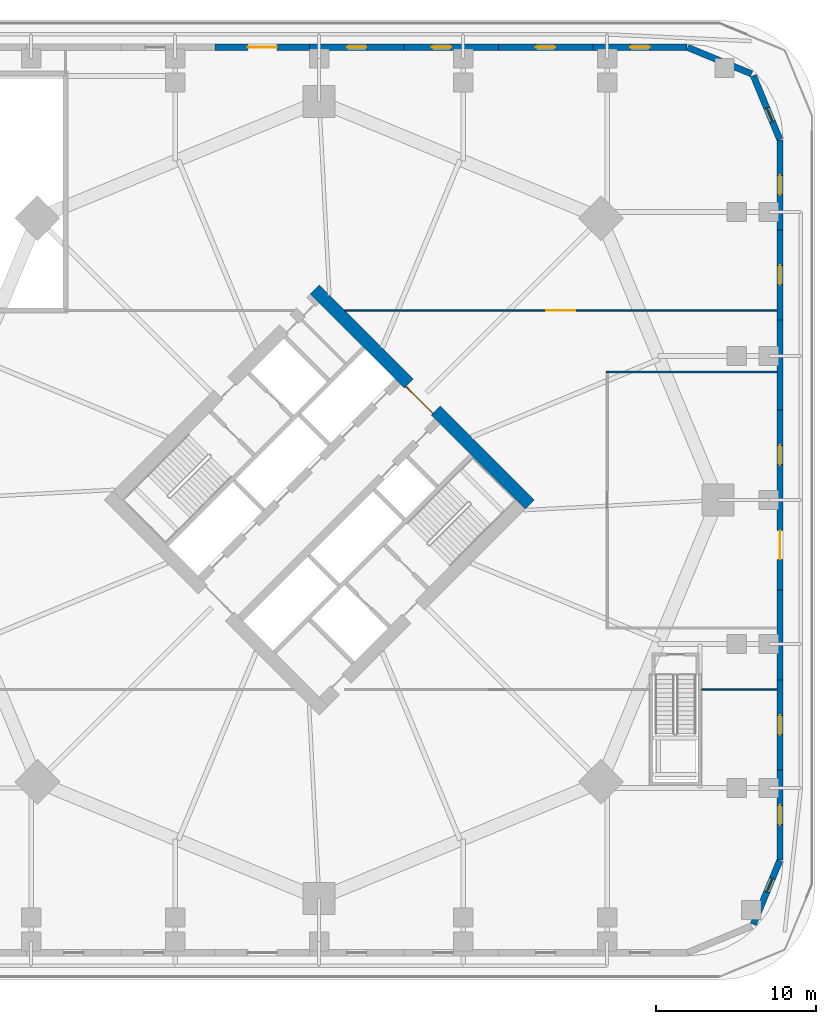
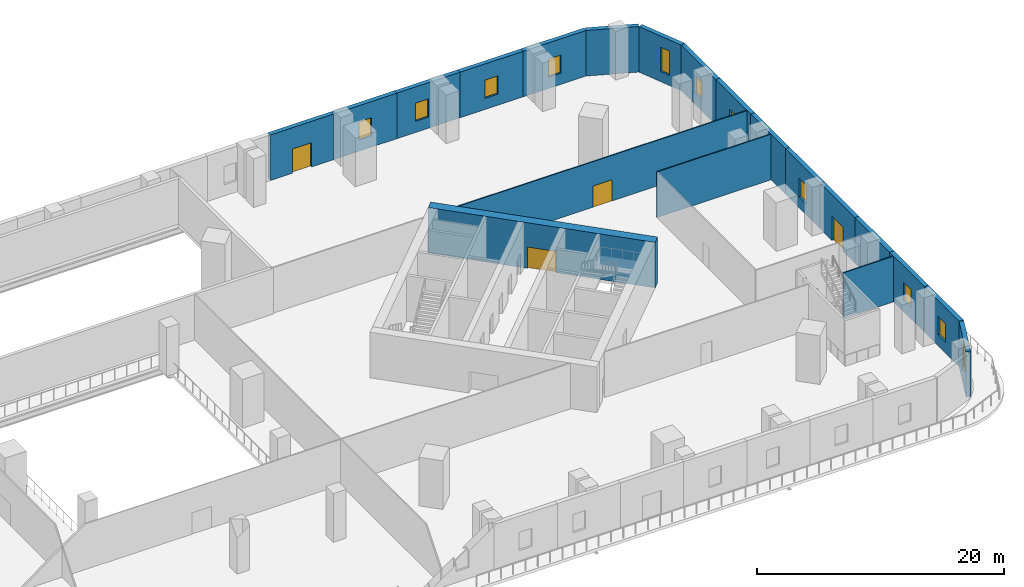
# One storey, part 11 of 17: 20 walls, 11 windows, 4 doors, 15 openings.
"""IFC4 building model written with IfcOpenShell, lengths in metres."""

from ifc_helpers import new_model, si_unit, direction, frame, frame_2d, origin, place, context, subcontext, project, spatial, rectangle, extrude, material, layer, layer_set, type_object, element, fill, save


model = new_model("IFC4")

# Units and contexts
model_context = context("Model", 3, precision=1e-05, world=origin(), true_north=direction((0.0, 1.0)))
body_context = subcontext(model_context, "Body", "Model", "MODEL_VIEW")
ifc_project = project(units=[si_unit("LENGTHUNIT", "METRE"), si_unit("AREAUNIT", "SQUARE_METRE"), si_unit("VOLUMEUNIT", "CUBIC_METRE"), si_unit("PLANEANGLEUNIT", "RADIAN"), si_unit("MASSUNIT", "GRAM", prefix="KILO")], contexts=[model_context])

# Site, building, storey
site_placement = place(None, origin())
site = spatial("IfcSite", under=ifc_project, at=site_placement, CompositionType="ELEMENT")
building_placement = place(site_placement, origin())
building = spatial("IfcBuilding", under=site, at=building_placement, Name="Ogive Gate Towers", CompositionType="ELEMENT")
storey_placement = place(building_placement, frame((0.0, 0.0, 18.0)))
storey = spatial("IfcBuildingStorey", under=building, at=storey_placement, Name="L03", CompositionType="ELEMENT", Elevation=18.0)

# Wall, opening, door
ifc_material_1 = material(Name="Concrete C60/75", Category="concrete")
ifc_layer_1 = layer(ifc_material_1, 0.800048828125)
ifc_layer_set_1 = layer_set([ifc_layer_1], Name="Core wall 800 mm")
wall_type_1 = type_object("IfcWallType", Name="Core wall 800 mm", PredefinedType="SHEAR", material=ifc_layer_set_1)
wall_1_placement = place(storey_placement, frame((49.152099609375, -0.28271484375, 0.0), z_axis=(0.0, 0.0, 1.0), x_axis=(-0.707106781187, 0.707106781187, 0.0)))
wall_1 = element("IfcWall", 1, at=wall_1_placement, inside=storey, type_object=wall_type_1, Name="T2 L03 Core wall 800 mm", PredefinedType="SHEAR", context=body_context, shape_type="SweptSolid", body=[
    extrude(rectangle(XDim=18.999755859375, YDim=0.800048828125, at=frame_2d((9.5, 0.0))), origin(), (0.0, 0.0, 1.0), 4.5),
])
opening_1_placement = place(wall_1_placement, frame((8.300048828125, 0.0, 0.0)))
opening_1 = element("IfcOpeningElement", 2, at=opening_1_placement, cuts=wall_1, Name="Opening KD-T2-L03-02", PredefinedType="OPENING", context=body_context, shape_type="SweptSolid", body=[
    extrude(rectangle(XDim=2.39990234375, YDim=2.10009765625, at=frame_2d((1.199951171875, 1.050048828125))), frame((0.0, 0.41015625, 0.0), z_axis=(0.0, -1.0, 0.0), x_axis=(1.0, 0.0, 0.0)), (0.0, 0.0, 1.0), 0.820068359375),
])
ifc_material_2 = material(Name="Steel fire door", Category="steel")
door_type_1 = type_object("IfcDoorType", Name="Core double door FD60S 2400 x 2100", OperationType="DOUBLE_DOOR_SINGLE_SWING", PredefinedType="DOOR", material=ifc_material_2)
door_1_placement = place(opening_1_placement, origin())
door_1 = element("IfcDoor", 3, at=door_1_placement, inside=storey, type_object=door_type_1, Name="T2 L03 Core door double", OperationType="DOUBLE_DOOR_SINGLE_SWING", OverallHeight=2.10009765625, OverallWidth=2.39990234375, PredefinedType="DOOR", context=body_context, shape_type="SweptSolid", body=[
    extrude(rectangle(XDim=2.39990234375, YDim=2.10009765625, at=frame_2d((1.199951171875, 1.050048828125))), frame((0.0, 0.27490234375, 0.0), z_axis=(0.0, -1.0, 0.0), x_axis=(1.0, 0.0, 0.0)), (0.0, 0.0, 1.0), 0.050048828125),
])
fill(opening_1, door_1)

ifc_material_3 = material(Name="Gypsum board partition")
ifc_layer_2 = layer(ifc_material_3, 0.10009765625)
ifc_layer_set_2 = layer_set([ifc_layer_2], Name="Partition wall 100")
wall_type_2 = type_object("IfcWallType", Name="Partition wall 100", PredefinedType="PARTITIONING", material=ifc_layer_set_2)
wall_2_placement = place(storey_placement, frame((37.5849609375, 11.85009765625, 0.0), z_axis=(0.0, 0.0, 1.0), x_axis=(1.0, 0.0, 0.0)))
wall_2 = element("IfcWall", 4, at=wall_2_placement, inside=storey, type_object=wall_type_2, Name="L03 partition 023", PredefinedType="PARTITIONING", context=body_context, shape_type="SweptSolid", body=[
    extrude(rectangle(XDim=27.01513671875, YDim=0.10009765625, at=frame_2d((13.507568359375, 0.0))), origin(), (0.0, 0.0, 1.0), 4.5),
])
opening_2_placement = place(wall_2_placement, frame((12.607421875, 0.0, 0.0)))
opening_2 = element("IfcOpeningElement", 5, at=opening_2_placement, cuts=wall_2, Name="Opening PO195", PredefinedType="OPENING", context=body_context, shape_type="SweptSolid", body=[
    extrude(rectangle(XDim=1.800048828125, YDim=2.10009765625, at=frame_2d((0.89990234375, 1.050048828125))), frame((0.0, 0.06005859375, 0.0), z_axis=(0.0, -1.0, 0.0), x_axis=(1.0, 0.0, 0.0)), (0.0, 0.0, 1.0), 0.1201171875),
])
ifc_material_4 = material(Name="Timber door", Category="wood")
door_type_2 = type_object("IfcDoorType", Name="Double door 1800 x 2100", OperationType="NOTDEFINED", PredefinedType="DOOR", material=ifc_material_4)
door_2_placement = place(opening_2_placement, origin())
door_2 = element("IfcDoor", 6, at=door_2_placement, inside=storey, type_object=door_type_2, Name="Door PO195", OperationType="DOUBLE_DOOR_DOUBLE_SWING", OverallHeight=2.10009765625, OverallWidth=1.800048828125, PredefinedType="DOOR", context=body_context, shape_type="SweptSolid", body=[
    extrude(rectangle(XDim=1.800048828125, YDim=2.10009765625, at=frame_2d((0.89990234375, 1.050048828125))), frame((0.0, 0.02490234375, 0.0), z_axis=(0.0, -1.0, 0.0), x_axis=(1.0, 0.0, 0.0)), (0.0, 0.0, 1.0), 0.050048828125),
])
fill(opening_2, door_2)

# Walls
wall_3_placement = place(storey_placement, frame((59.89990234375, -11.85009765625, 0.0), z_axis=(0.0, 0.0, 1.0), x_axis=(1.0, 0.0, 0.0)))
element("IfcWall", 7, at=wall_3_placement, inside=storey, type_object=wall_type_2, Name="L03 partition 032", PredefinedType="PARTITIONING", context=body_context, shape_type="SweptSolid", body=[
    extrude(rectangle(XDim=4.7001953125, YDim=0.10009765625, at=frame_2d((2.35009765625, 0.0))), origin(), (0.0, 0.0, 1.0), 4.5),
])
wall_4_placement = place(storey_placement, frame((53.949951171875, 8.0, 0.0), z_axis=(0.0, 0.0, 1.0), x_axis=(1.0, 0.0, 0.0)))
element("IfcWall", 8, at=wall_4_placement, inside=storey, type_object=wall_type_2, Name="L03 partition 037", PredefinedType="PARTITIONING", context=body_context, shape_type="SweptSolid", body=[
    extrude(rectangle(XDim=10.650146484375, YDim=0.10009765625, at=frame_2d((5.3251953125, 0.0))), origin(), (0.0, 0.0, 1.0), 4.5),
])

# Wall, opening, window
ifc_material_5 = material(Name="Precast concrete C40/50", Category="concrete")
ifc_layer_3 = layer(ifc_material_5, 0.39990234375)
ifc_layer_set_3 = layer_set([ifc_layer_3], Name="Podium wall 400")
wall_type_3 = type_object("IfcWallType", Name="Podium wall 400", PredefinedType="SOLIDWALL", material=ifc_layer_set_3)
wall_5_placement = place(storey_placement, frame((63.1328125, -26.524658203125, 0.0), z_axis=(0.0, 0.0, 1.0), x_axis=(0.382743086333, 0.923854820772, 0.0)))
wall_5 = element("IfcWall", 9, at=wall_5_placement, inside=storey, type_object=wall_type_3, Name="Podium wall", PredefinedType="SOLIDWALL", context=body_context, shape_type="SweptSolid", body=[
    extrude(rectangle(XDim=4.31640625, YDim=0.39990234375, at=frame_2d((2.158203125, 0.0))), origin(), (0.0, 0.0, 1.0), 4.5),
])
opening_3_placement = place(wall_5_placement, frame((2.208251953125, 0.0, 1.0)))
opening_3 = element("IfcOpeningElement", 10, at=opening_3_placement, cuts=wall_5, Name="Opening WN5", PredefinedType="OPENING", context=body_context, shape_type="SweptSolid", body=[
    extrude(rectangle(XDim=0.89990234375, YDim=2.39990234375, at=frame_2d((0.449951171875, 1.199951171875))), frame((0.0, 0.2099609375, 0.0), z_axis=(0.0, -1.0, 0.0), x_axis=(1.0, 0.0, 0.0)), (0.0, 0.0, 1.0), 0.419921875),
])
ifc_material_6 = material(Name="Clear glass", Category="glass")
window_type_1 = type_object("IfcWindowType", Name="Narrow window 900 x 2400", PartitioningType="SINGLE_PANEL", PredefinedType="WINDOW", material=ifc_material_6)
window_1_placement = place(opening_3_placement, origin())
window_1 = element("IfcWindow", 11, at=window_1_placement, inside=storey, type_object=window_type_1, Name="Podium window", OverallHeight=2.39990234375, OverallWidth=0.89990234375, PartitioningType="SINGLE_PANEL", PredefinedType="WINDOW", context=body_context, shape_type="SweptSolid", body=[
    extrude(rectangle(XDim=0.89990234375, YDim=2.39990234375, at=frame_2d((0.449951171875, 1.199951171875))), frame((0.0, 0.030029296875, 0.0), z_axis=(0.0, -1.0, 0.0), x_axis=(1.0, 0.0, 0.0)), (0.0, 0.0, 1.0), 0.06005859375),
])
fill(opening_3, window_1)

wall_6_placement = place(storey_placement, frame((64.800048828125, -22.5, 0.0), z_axis=(0.0, 0.0, 1.0), x_axis=(0.0, 1.0, 0.0)))
wall_6 = element("IfcWall", 12, at=wall_6_placement, inside=storey, type_object=wall_type_3, Name="Podium wall", PredefinedType="SOLIDWALL", context=body_context, shape_type="SweptSolid", body=[
    extrude(rectangle(XDim=5.625, YDim=0.39990234375, at=frame_2d((2.8125, 0.0))), origin(), (0.0, 0.0, 1.0), 4.5),
])
opening_4_placement = place(wall_6_placement, frame((2.21240234375, 0.0, 1.10009765625)))
opening_4 = element("IfcOpeningElement", 13, at=opening_4_placement, cuts=wall_6, Name="Opening WN3", PredefinedType="OPENING", context=body_context, shape_type="SweptSolid", body=[
    extrude(rectangle(XDim=1.199951171875, YDim=1.800048828125, at=frame_2d((0.60009765625, 0.89990234375))), frame((0.0, 0.2099609375, 0.0), z_axis=(0.0, -1.0, 0.0), x_axis=(1.0, 0.0, 0.0)), (0.0, 0.0, 1.0), 0.419921875),
])
window_type_2 = type_object("IfcWindowType", Name="Podium window 1200 x 1800", PartitioningType="SINGLE_PANEL", PredefinedType="WINDOW", material=ifc_material_6)
window_2_placement = place(opening_4_placement, origin())
window_2 = element("IfcWindow", 14, at=window_2_placement, inside=storey, type_object=window_type_2, Name="Podium window", OverallHeight=1.800048828125, OverallWidth=1.199951171875, PartitioningType="SINGLE_PANEL", PredefinedType="WINDOW", context=body_context, shape_type="SweptSolid", body=[
    extrude(rectangle(XDim=1.199951171875, YDim=1.800048828125, at=frame_2d((0.60009765625, 0.89990234375))), frame((0.0, 0.030029296875, 0.0), z_axis=(0.0, -1.0, 0.0), x_axis=(1.0, 0.0, 0.0)), (0.0, 0.0, 1.0), 0.06005859375),
])
fill(opening_4, window_2)

wall_7_placement = place(storey_placement, frame((64.800048828125, -16.875, 0.0), z_axis=(0.0, 0.0, 1.0), x_axis=(0.0, 1.0, 0.0)))
wall_7 = element("IfcWall", 15, at=wall_7_placement, inside=storey, type_object=wall_type_3, Name="Podium wall", PredefinedType="SOLIDWALL", context=body_context, shape_type="SweptSolid", body=[
    extrude(rectangle(XDim=5.625, YDim=0.39990234375, at=frame_2d((2.8125, 0.0))), origin(), (0.0, 0.0, 1.0), 4.5),
])
opening_5_placement = place(wall_7_placement, frame((2.21240234375, 0.0, 1.10009765625)))
opening_5 = element("IfcOpeningElement", 16, at=opening_5_placement, cuts=wall_7, Name="Opening WN3", PredefinedType="OPENING", context=body_context, shape_type="SweptSolid", body=[
    extrude(rectangle(XDim=1.199951171875, YDim=1.800048828125, at=frame_2d((0.60009765625, 0.89990234375))), frame((0.0, 0.2099609375, 0.0), z_axis=(0.0, -1.0, 0.0), x_axis=(1.0, 0.0, 0.0)), (0.0, 0.0, 1.0), 0.419921875),
])
window_3_placement = place(opening_5_placement, origin())
window_3 = element("IfcWindow", 17, at=window_3_placement, inside=storey, type_object=window_type_2, Name="Podium window", OverallHeight=1.800048828125, OverallWidth=1.199951171875, PartitioningType="SINGLE_PANEL", PredefinedType="WINDOW", context=body_context, shape_type="SweptSolid", body=[
    extrude(rectangle(XDim=1.199951171875, YDim=1.800048828125, at=frame_2d((0.60009765625, 0.89990234375))), frame((0.0, 0.030029296875, 0.0), z_axis=(0.0, -1.0, 0.0), x_axis=(1.0, 0.0, 0.0)), (0.0, 0.0, 1.0), 0.06005859375),
])
fill(opening_5, window_3)

# Wall
wall_8_placement = place(storey_placement, frame((64.800048828125, -11.25, 0.0), z_axis=(0.0, 0.0, 1.0), x_axis=(0.0, 1.0, 0.0)))
element("IfcWall", 18, at=wall_8_placement, inside=storey, type_object=wall_type_3, Name="Podium wall", PredefinedType="SOLIDWALL", context=body_context, shape_type="SweptSolid", body=[
    extrude(rectangle(XDim=5.625, YDim=0.39990234375, at=frame_2d((2.8125, 0.0))), origin(), (0.0, 0.0, 1.0), 4.5),
])

# Wall, opening, door
wall_9_placement = place(storey_placement, frame((64.800048828125, -5.625, 0.0), z_axis=(0.0, 0.0, 1.0), x_axis=(0.0, 1.0, 0.0)))
wall_9 = element("IfcWall", 19, at=wall_9_placement, inside=storey, type_object=wall_type_3, Name="Podium wall", PredefinedType="SOLIDWALL", context=body_context, shape_type="SweptSolid", body=[
    extrude(rectangle(XDim=5.625, YDim=0.39990234375, at=frame_2d((2.8125, 0.0))), origin(), (0.0, 0.0, 1.0), 4.5),
])
opening_6_placement = place(wall_9_placement, frame((1.91259765625, 0.0, 0.0)))
opening_6 = element("IfcOpeningElement", 20, at=opening_6_placement, cuts=wall_9, Name="Opening ED3-L03-01", PredefinedType="OPENING", context=body_context, shape_type="SweptSolid", body=[
    extrude(rectangle(XDim=1.800048828125, YDim=2.39990234375, at=frame_2d((0.89990234375, 1.199951171875))), frame((0.0, 0.2099609375, 0.0), z_axis=(0.0, -1.0, 0.0), x_axis=(1.0, 0.0, 0.0)), (0.0, 0.0, 1.0), 0.419921875),
])
ifc_material_7 = material(Name="Pale metal aluminium", Category="aluminium")
door_type_3 = type_object("IfcDoorType", Name="Terrace door 1800 x 2400", OperationType="DOUBLE_DOOR_SINGLE_SWING", PredefinedType="DOOR", material=ifc_material_7)
door_3_placement = place(opening_6_placement, origin())
door_3 = element("IfcDoor", 21, at=door_3_placement, inside=storey, type_object=door_type_3, Name="Exterior door", OperationType="SINGLE_SWING_LEFT", OverallHeight=2.39990234375, OverallWidth=1.800048828125, PredefinedType="DOOR", context=body_context, shape_type="SweptSolid", body=[
    extrude(rectangle(XDim=1.800048828125, YDim=2.39990234375, at=frame_2d((0.89990234375, 1.199951171875))), frame((0.0, 0.02490234375, 0.0), z_axis=(0.0, -1.0, 0.0), x_axis=(1.0, 0.0, 0.0)), (0.0, 0.0, 1.0), 0.050048828125),
])
fill(opening_6, door_3)

# Wall, opening, window
wall_10_placement = place(storey_placement, frame((64.800048828125, 0.0, 0.0), z_axis=(0.0, 0.0, 1.0), x_axis=(0.0, 1.0, 0.0)))
wall_10 = element("IfcWall", 22, at=wall_10_placement, inside=storey, type_object=wall_type_3, Name="Podium wall", PredefinedType="SOLIDWALL", context=body_context, shape_type="SweptSolid", body=[
    extrude(rectangle(XDim=5.625, YDim=0.39990234375, at=frame_2d((2.8125, 0.0))), origin(), (0.0, 0.0, 1.0), 4.5),
])
opening_7_placement = place(wall_10_placement, frame((2.21240234375, 0.0, 1.10009765625)))
opening_7 = element("IfcOpeningElement", 23, at=opening_7_placement, cuts=wall_10, Name="Opening WN3", PredefinedType="OPENING", context=body_context, shape_type="SweptSolid", body=[
    extrude(rectangle(XDim=1.199951171875, YDim=1.800048828125, at=frame_2d((0.60009765625, 0.89990234375))), frame((0.0, 0.2099609375, 0.0), z_axis=(0.0, -1.0, 0.0), x_axis=(1.0, 0.0, 0.0)), (0.0, 0.0, 1.0), 0.419921875),
])
window_4_placement = place(opening_7_placement, origin())
window_4 = element("IfcWindow", 24, at=window_4_placement, inside=storey, type_object=window_type_2, Name="Podium window", OverallHeight=1.800048828125, OverallWidth=1.199951171875, PartitioningType="SINGLE_PANEL", PredefinedType="WINDOW", context=body_context, shape_type="SweptSolid", body=[
    extrude(rectangle(XDim=1.199951171875, YDim=1.800048828125, at=frame_2d((0.60009765625, 0.89990234375))), frame((0.0, 0.030029296875, 0.0), z_axis=(0.0, -1.0, 0.0), x_axis=(1.0, 0.0, 0.0)), (0.0, 0.0, 1.0), 0.06005859375),
])
fill(opening_7, window_4)

# Wall
wall_11_placement = place(storey_placement, frame((64.800048828125, 5.625, 0.0), z_axis=(0.0, 0.0, 1.0), x_axis=(0.0, 1.0, 0.0)))
element("IfcWall", 25, at=wall_11_placement, inside=storey, type_object=wall_type_3, Name="Podium wall", PredefinedType="SOLIDWALL", context=body_context, shape_type="SweptSolid", body=[
    extrude(rectangle(XDim=5.625, YDim=0.39990234375, at=frame_2d((2.8125, 0.0))), origin(), (0.0, 0.0, 1.0), 4.5),
])

# Wall, opening, window
wall_12_placement = place(storey_placement, frame((64.800048828125, 11.25, 0.0), z_axis=(0.0, 0.0, 1.0), x_axis=(0.0, 1.0, 0.0)))
wall_12 = element("IfcWall", 26, at=wall_12_placement, inside=storey, type_object=wall_type_3, Name="Podium wall", PredefinedType="SOLIDWALL", context=body_context, shape_type="SweptSolid", body=[
    extrude(rectangle(XDim=5.625, YDim=0.39990234375, at=frame_2d((2.8125, 0.0))), origin(), (0.0, 0.0, 1.0), 4.5),
])
opening_8_placement = place(wall_12_placement, frame((2.21240234375, 0.0, 1.10009765625)))
opening_8 = element("IfcOpeningElement", 27, at=opening_8_placement, cuts=wall_12, Name="Opening WN3", PredefinedType="OPENING", context=body_context, shape_type="SweptSolid", body=[
    extrude(rectangle(XDim=1.199951171875, YDim=1.800048828125, at=frame_2d((0.60009765625, 0.89990234375))), frame((0.0, 0.2099609375, 0.0), z_axis=(0.0, -1.0, 0.0), x_axis=(1.0, 0.0, 0.0)), (0.0, 0.0, 1.0), 0.419921875),
])
window_5_placement = place(opening_8_placement, origin())
window_5 = element("IfcWindow", 28, at=window_5_placement, inside=storey, type_object=window_type_2, Name="Podium window", OverallHeight=1.800048828125, OverallWidth=1.199951171875, PartitioningType="SINGLE_PANEL", PredefinedType="WINDOW", context=body_context, shape_type="SweptSolid", body=[
    extrude(rectangle(XDim=1.199951171875, YDim=1.800048828125, at=frame_2d((0.60009765625, 0.89990234375))), frame((0.0, 0.030029296875, 0.0), z_axis=(0.0, -1.0, 0.0), x_axis=(1.0, 0.0, 0.0)), (0.0, 0.0, 1.0), 0.06005859375),
])
fill(opening_8, window_5)

wall_13_placement = place(storey_placement, frame((64.800048828125, 16.875, 0.0), z_axis=(0.0, 0.0, 1.0), x_axis=(0.0, 1.0, 0.0)))
wall_13 = element("IfcWall", 29, at=wall_13_placement, inside=storey, type_object=wall_type_3, Name="Podium wall", PredefinedType="SOLIDWALL", context=body_context, shape_type="SweptSolid", body=[
    extrude(rectangle(XDim=5.625, YDim=0.39990234375, at=frame_2d((2.8125, 0.0))), origin(), (0.0, 0.0, 1.0), 4.5),
])
opening_9_placement = place(wall_13_placement, frame((2.21240234375, 0.0, 1.10009765625)))
opening_9 = element("IfcOpeningElement", 30, at=opening_9_placement, cuts=wall_13, Name="Opening WN3", PredefinedType="OPENING", context=body_context, shape_type="SweptSolid", body=[
    extrude(rectangle(XDim=1.199951171875, YDim=1.800048828125, at=frame_2d((0.60009765625, 0.89990234375))), frame((0.0, 0.2099609375, 0.0), z_axis=(0.0, -1.0, 0.0), x_axis=(1.0, 0.0, 0.0)), (0.0, 0.0, 1.0), 0.419921875),
])
window_6_placement = place(opening_9_placement, origin())
window_6 = element("IfcWindow", 31, at=window_6_placement, inside=storey, type_object=window_type_2, Name="Podium window", OverallHeight=1.800048828125, OverallWidth=1.199951171875, PartitioningType="SINGLE_PANEL", PredefinedType="WINDOW", context=body_context, shape_type="SweptSolid", body=[
    extrude(rectangle(XDim=1.199951171875, YDim=1.800048828125, at=frame_2d((0.60009765625, 0.89990234375))), frame((0.0, 0.030029296875, 0.0), z_axis=(0.0, -1.0, 0.0), x_axis=(1.0, 0.0, 0.0)), (0.0, 0.0, 1.0), 0.06005859375),
])
fill(opening_9, window_6)

wall_14_placement = place(storey_placement, frame((64.784912109375, 22.536865234375, 0.0), z_axis=(0.0, 0.0, 1.0), x_axis=(-0.382743086333, 0.923854820772, 0.0)))
wall_14 = element("IfcWall", 32, at=wall_14_placement, inside=storey, type_object=wall_type_3, Name="Podium wall", PredefinedType="SOLIDWALL", context=body_context, shape_type="SweptSolid", body=[
    extrude(rectangle(XDim=4.31640625, YDim=0.39990234375, at=frame_2d((2.158203125, 0.0))), origin(), (0.0, 0.0, 1.0), 4.5),
])
opening_10_placement = place(wall_14_placement, frame((1.208251953125, 0.0, 1.0)))
opening_10 = element("IfcOpeningElement", 33, at=opening_10_placement, cuts=wall_14, Name="Opening WN5", PredefinedType="OPENING", context=body_context, shape_type="SweptSolid", body=[
    extrude(rectangle(XDim=0.89990234375, YDim=2.39990234375, at=frame_2d((0.449951171875, 1.199951171875))), frame((0.0, 0.2099609375, 0.0), z_axis=(0.0, -1.0, 0.0), x_axis=(1.0, 0.0, 0.0)), (0.0, 0.0, 1.0), 0.419921875),
])
window_7_placement = place(opening_10_placement, origin())
window_7 = element("IfcWindow", 34, at=window_7_placement, inside=storey, type_object=window_type_1, Name="Podium window", OverallHeight=2.39990234375, OverallWidth=0.89990234375, PartitioningType="SINGLE_PANEL", PredefinedType="WINDOW", context=body_context, shape_type="SweptSolid", body=[
    extrude(rectangle(XDim=0.89990234375, YDim=2.39990234375, at=frame_2d((0.449951171875, 1.199951171875))), frame((0.0, 0.030029296875, 0.0), z_axis=(0.0, -1.0, 0.0), x_axis=(1.0, 0.0, 0.0)), (0.0, 0.0, 1.0), 0.06005859375),
])
fill(opening_10, window_7)

# Wall
wall_15_placement = place(storey_placement, frame((63.024658203125, 26.6328125, 0.0), z_axis=(0.0, 0.0, 1.0), x_axis=(-0.923854820772, 0.382743086333, 0.0)))
element("IfcWall", 35, at=wall_15_placement, inside=storey, type_object=wall_type_3, Name="Podium wall", PredefinedType="SOLIDWALL", context=body_context, shape_type="SweptSolid", body=[
    extrude(rectangle(XDim=4.31640625, YDim=0.39990234375, at=frame_2d((2.158203125, 0.0))), origin(), (0.0, 0.0, 1.0), 4.5),
])

# Wall, opening, window
wall_16_placement = place(storey_placement, frame((59.0, 28.300048828125, 0.0), z_axis=(0.0, 0.0, 1.0), x_axis=(-1.0, 0.0, 0.0)))
wall_16 = element("IfcWall", 36, at=wall_16_placement, inside=storey, type_object=wall_type_3, Name="Podium wall", PredefinedType="SOLIDWALL", context=body_context, shape_type="SweptSolid", body=[
    extrude(rectangle(XDim=5.89990234375, YDim=0.39990234375, at=frame_2d((2.949951171875, 0.0))), origin(), (0.0, 0.0, 1.0), 4.5),
])
opening_11_placement = place(wall_16_placement, frame((2.35009765625, 0.0, 1.10009765625)))
opening_11 = element("IfcOpeningElement", 37, at=opening_11_placement, cuts=wall_16, Name="Opening WN3", PredefinedType="OPENING", context=body_context, shape_type="SweptSolid", body=[
    extrude(rectangle(XDim=1.199951171875, YDim=1.800048828125, at=frame_2d((0.60009765625, 0.89990234375))), frame((0.0, 0.2099609375, 0.0), z_axis=(0.0, -1.0, 0.0), x_axis=(1.0, 0.0, 0.0)), (0.0, 0.0, 1.0), 0.419921875),
])
window_8_placement = place(opening_11_placement, origin())
window_8 = element("IfcWindow", 38, at=window_8_placement, inside=storey, type_object=window_type_2, Name="Podium window", OverallHeight=1.800048828125, OverallWidth=1.199951171875, PartitioningType="SINGLE_PANEL", PredefinedType="WINDOW", context=body_context, shape_type="SweptSolid", body=[
    extrude(rectangle(XDim=1.199951171875, YDim=1.800048828125, at=frame_2d((0.60009765625, 0.89990234375))), frame((0.0, 0.030029296875, 0.0), z_axis=(0.0, -1.0, 0.0), x_axis=(1.0, 0.0, 0.0)), (0.0, 0.0, 1.0), 0.06005859375),
])
fill(opening_11, window_8)

wall_17_placement = place(storey_placement, frame((53.10009765625, 28.300048828125, 0.0), z_axis=(0.0, 0.0, 1.0), x_axis=(-1.0, 0.0, 0.0)))
wall_17 = element("IfcWall", 39, at=wall_17_placement, inside=storey, type_object=wall_type_3, Name="Podium wall", PredefinedType="SOLIDWALL", context=body_context, shape_type="SweptSolid", body=[
    extrude(rectangle(XDim=5.900146484375, YDim=0.39990234375, at=frame_2d((2.9501953125, 0.0))), origin(), (0.0, 0.0, 1.0), 4.5),
])
opening_12_placement = place(wall_17_placement, frame((2.35009765625, 0.0, 1.10009765625)))
opening_12 = element("IfcOpeningElement", 40, at=opening_12_placement, cuts=wall_17, Name="Opening WN3", PredefinedType="OPENING", context=body_context, shape_type="SweptSolid", body=[
    extrude(rectangle(XDim=1.199951171875, YDim=1.800048828125, at=frame_2d((0.60009765625, 0.89990234375))), frame((0.0, 0.2099609375, 0.0), z_axis=(0.0, -1.0, 0.0), x_axis=(1.0, 0.0, 0.0)), (0.0, 0.0, 1.0), 0.419921875),
])
window_9_placement = place(opening_12_placement, origin())
window_9 = element("IfcWindow", 41, at=window_9_placement, inside=storey, type_object=window_type_2, Name="Podium window", OverallHeight=1.800048828125, OverallWidth=1.199951171875, PartitioningType="SINGLE_PANEL", PredefinedType="WINDOW", context=body_context, shape_type="SweptSolid", body=[
    extrude(rectangle(XDim=1.199951171875, YDim=1.800048828125, at=frame_2d((0.60009765625, 0.89990234375))), frame((0.0, 0.030029296875, 0.0), z_axis=(0.0, -1.0, 0.0), x_axis=(1.0, 0.0, 0.0)), (0.0, 0.0, 1.0), 0.06005859375),
])
fill(opening_12, window_9)

wall_18_placement = place(storey_placement, frame((47.199951171875, 28.300048828125, 0.0), z_axis=(0.0, 0.0, 1.0), x_axis=(-1.0, 0.0, 0.0)))
wall_18 = element("IfcWall", 42, at=wall_18_placement, inside=storey, type_object=wall_type_3, Name="Podium wall", PredefinedType="SOLIDWALL", context=body_context, shape_type="SweptSolid", body=[
    extrude(rectangle(XDim=5.89990234375, YDim=0.39990234375, at=frame_2d((2.949951171875, 0.0))), origin(), (0.0, 0.0, 1.0), 4.5),
])
opening_13_placement = place(wall_18_placement, frame((2.949951171875, 0.0, 1.10009765625)))
opening_13 = element("IfcOpeningElement", 43, at=opening_13_placement, cuts=wall_18, Name="Opening WN3", PredefinedType="OPENING", context=body_context, shape_type="SweptSolid", body=[
    extrude(rectangle(XDim=1.199951171875, YDim=1.800048828125, at=frame_2d((0.60009765625, 0.89990234375))), frame((0.0, 0.2099609375, 0.0), z_axis=(0.0, -1.0, 0.0), x_axis=(1.0, 0.0, 0.0)), (0.0, 0.0, 1.0), 0.419921875),
])
window_10_placement = place(opening_13_placement, origin())
window_10 = element("IfcWindow", 44, at=window_10_placement, inside=storey, type_object=window_type_2, Name="Podium window", OverallHeight=1.800048828125, OverallWidth=1.199951171875, PartitioningType="SINGLE_PANEL", PredefinedType="WINDOW", context=body_context, shape_type="SweptSolid", body=[
    extrude(rectangle(XDim=1.199951171875, YDim=1.800048828125, at=frame_2d((0.60009765625, 0.89990234375))), frame((0.0, 0.030029296875, 0.0), z_axis=(0.0, -1.0, 0.0), x_axis=(1.0, 0.0, 0.0)), (0.0, 0.0, 1.0), 0.06005859375),
])
fill(opening_13, window_10)

wall_19_placement = place(storey_placement, frame((41.300048828125, 28.300048828125, 0.0), z_axis=(0.0, 0.0, 1.0), x_axis=(-1.0, 0.0, 0.0)))
wall_19 = element("IfcWall", 45, at=wall_19_placement, inside=storey, type_object=wall_type_3, Name="Podium wall", PredefinedType="SOLIDWALL", context=body_context, shape_type="SweptSolid", body=[
    extrude(rectangle(XDim=5.900146484375, YDim=0.39990234375, at=frame_2d((2.9501953125, 0.0))), origin(), (0.0, 0.0, 1.0), 4.5),
])
opening_14_placement = place(wall_19_placement, frame((2.35009765625, 0.0, 1.10009765625)))
opening_14 = element("IfcOpeningElement", 46, at=opening_14_placement, cuts=wall_19, Name="Opening WN3", PredefinedType="OPENING", context=body_context, shape_type="SweptSolid", body=[
    extrude(rectangle(XDim=1.199951171875, YDim=1.800048828125, at=frame_2d((0.60009765625, 0.89990234375))), frame((0.0, 0.2099609375, 0.0), z_axis=(0.0, -1.0, 0.0), x_axis=(1.0, 0.0, 0.0)), (0.0, 0.0, 1.0), 0.419921875),
])
window_11_placement = place(opening_14_placement, origin())
window_11 = element("IfcWindow", 47, at=window_11_placement, inside=storey, type_object=window_type_2, Name="Podium window", OverallHeight=1.800048828125, OverallWidth=1.199951171875, PartitioningType="SINGLE_PANEL", PredefinedType="WINDOW", context=body_context, shape_type="SweptSolid", body=[
    extrude(rectangle(XDim=1.199951171875, YDim=1.800048828125, at=frame_2d((0.60009765625, 0.89990234375))), frame((0.0, 0.030029296875, 0.0), z_axis=(0.0, -1.0, 0.0), x_axis=(1.0, 0.0, 0.0)), (0.0, 0.0, 1.0), 0.06005859375),
])
fill(opening_14, window_11)

# Wall, opening, door
wall_20_placement = place(storey_placement, frame((35.39990234375, 28.300048828125, 0.0), z_axis=(0.0, 0.0, 1.0), x_axis=(-1.0, 0.0, 0.0)))
wall_20 = element("IfcWall", 48, at=wall_20_placement, inside=storey, type_object=wall_type_3, Name="Podium wall", PredefinedType="SOLIDWALL", context=body_context, shape_type="SweptSolid", body=[
    extrude(rectangle(XDim=5.89990234375, YDim=0.39990234375, at=frame_2d((2.949951171875, 0.0))), origin(), (0.0, 0.0, 1.0), 4.5),
])
opening_15_placement = place(wall_20_placement, frame((2.050048828125, 0.0, 0.0)))
opening_15 = element("IfcOpeningElement", 49, at=opening_15_placement, cuts=wall_20, Name="Opening ED3-L03-02", PredefinedType="OPENING", context=body_context, shape_type="SweptSolid", body=[
    extrude(rectangle(XDim=1.800048828125, YDim=2.39990234375, at=frame_2d((0.89990234375, 1.199951171875))), frame((0.0, 0.2099609375, 0.0), z_axis=(0.0, -1.0, 0.0), x_axis=(1.0, 0.0, 0.0)), (0.0, 0.0, 1.0), 0.419921875),
])
door_4_placement = place(opening_15_placement, origin())
door_4 = element("IfcDoor", 50, at=door_4_placement, inside=storey, type_object=door_type_3, Name="Exterior door", OperationType="SINGLE_SWING_LEFT", OverallHeight=2.39990234375, OverallWidth=1.800048828125, PredefinedType="DOOR", context=body_context, shape_type="SweptSolid", body=[
    extrude(rectangle(XDim=1.800048828125, YDim=2.39990234375, at=frame_2d((0.89990234375, 1.199951171875))), frame((0.0, 0.02490234375, 0.0), z_axis=(0.0, -1.0, 0.0), x_axis=(1.0, 0.0, 0.0)), (0.0, 0.0, 1.0), 0.050048828125),
])
fill(opening_15, door_4)

save(model, "model.ifc")
